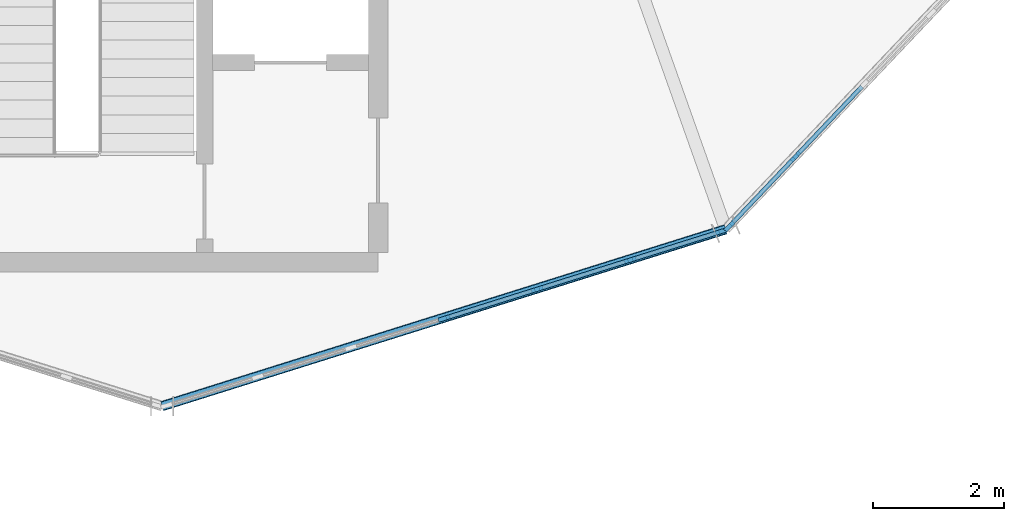
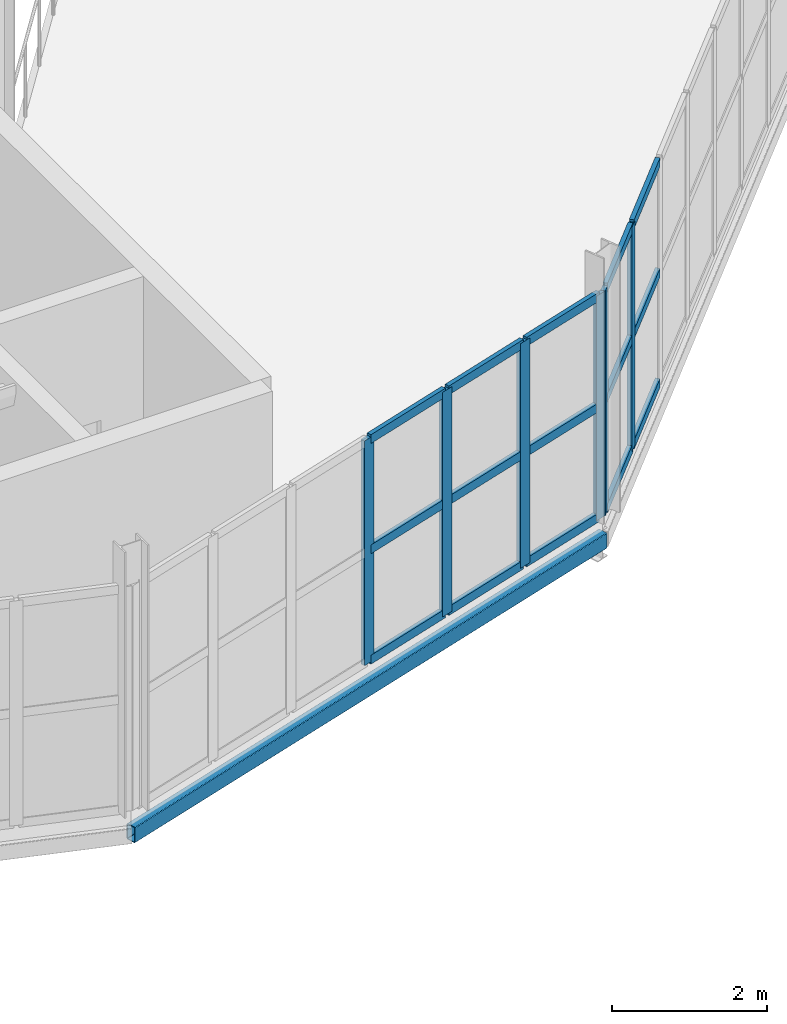
# One storey, part 77 of 161: 21 members, 1 beam, 2 elements without a shape of their own.
"""IFC4 building model written with IfcOpenShell, lengths in metres."""

import ifcopenshell
import ifcopenshell.guid

model = None  # the IFC model being written
_history = None  # IfcOwnerHistory: only IFC2X3 demands one
_inside = {}  # id of a spatial element -> (the spatial element, [elements in it])
_under = {}  # id of a project, library or spatial element -> (it, [spatial elements below it])
_declared = {}  # id of a project -> (the project, [libraries it declares])
_typed = {}  # id of a type object -> (the type object, [elements of that type])
_made_of = {}  # id of a material, layer set ... -> (it, [elements and type objects made of it])


def new_model(schema):
    """Start an empty IFC model of exactly this schema.

    Asked for "IFC4X3", IfcOpenShell would pick the latest addendum, in which some entities
    have other attributes; the version numbers below select the first issue.
    IFC2X3 requires an IfcOwnerHistory on every rooted entity: one is made here for all.
    """
    global model, _history
    if schema == "IFC4X3":
        model = ifcopenshell.file(schema_version=(4, 3, 0, 0))
    else:
        model = ifcopenshell.file(schema=schema)
    _inside.clear()
    _under.clear()
    _declared.clear()
    _typed.clear()
    _made_of.clear()
    _history = None
    if model.schema == "IFC2X3":
        org = make("IfcOrganization", Name="unknown")
        user = make(
            "IfcPersonAndOrganization",
            ThePerson=make("IfcPerson", FamilyName="unknown"),
            TheOrganization=org,
        )
        app = make(
            "IfcApplication",
            ApplicationDeveloper=org,
            Version="unknown",
            ApplicationFullName="unknown",
            ApplicationIdentifier="unknown",
        )
        _history = make(
            "IfcOwnerHistory",
            OwningUser=user,
            OwningApplication=app,
            ChangeAction="ADDED",
            CreationDate=0,
        )
    return model


def make(cls, **values):
    """One entity of the class cls with the attributes given. An attribute that is None is left unset."""
    return model.create_entity(
        cls, **{name: value for name, value in values.items() if value is not None}
    )


def rooted(cls, **values):
    """An entity with a GlobalId (a new one), such as an element, a storey or a relation."""
    return make(cls, GlobalId=ifcopenshell.guid.new(), OwnerHistory=_history, **values)


def si_unit(unit_type, name, prefix=None):
    """IfcSIUnit, for example si_unit("LENGTHUNIT", "METRE", prefix="MILLI")."""
    return make("IfcSIUnit", UnitType=unit_type, Prefix=prefix, Name=name)


def assignment(units):
    """IfcUnitAssignment: the units of a project."""
    return None if units is None else make("IfcUnitAssignment", Units=units)


def point(xyz):
    """IfcCartesianPoint."""
    return None if xyz is None else make("IfcCartesianPoint", Coordinates=xyz)


def direction(xyz):
    """IfcDirection."""
    return None if xyz is None else make("IfcDirection", DirectionRatios=xyz)


def frame(location, z_axis=None, x_axis=None):
    """IfcAxis2Placement3D, a coordinate frame: its origin and axes. An axis left out is left unset."""
    return make(
        "IfcAxis2Placement3D",
        Location=point(location),
        Axis=direction(z_axis),
        RefDirection=direction(x_axis),
    )


def frame_2d(location, x_axis=None):
    """IfcAxis2Placement2D, a coordinate frame in the plane: its origin and x axis."""
    return make(
        "IfcAxis2Placement2D", Location=point(location), RefDirection=direction(x_axis)
    )


def origin():
    """The frame at (0, 0, 0) with its axes left unset."""
    return frame((0.0, 0.0, 0.0))


def origin_2d():
    """The frame at (0, 0) in the plane with its x axis left unset."""
    return frame_2d((0.0, 0.0))


def place(relative_to, where):
    """IfcLocalPlacement: puts the frame where relative to a parent placement (None: the world)."""
    return make(
        "IfcLocalPlacement", PlacementRelTo=relative_to, RelativePlacement=where
    )


def context(
    kind, dimensions, precision=None, world=None, true_north=None, identifier=None
):
    """IfcGeometricRepresentationContext, for example the 3D "Model" context."""
    return make(
        "IfcGeometricRepresentationContext",
        ContextIdentifier=identifier,
        ContextType=kind,
        CoordinateSpaceDimension=dimensions,
        Precision=precision,
        WorldCoordinateSystem=world,
        TrueNorth=true_north,
    )


def subcontext(parent, identifier, kind, view, scale=None):
    """IfcGeometricRepresentationSubContext, for example "Body" below "Model"."""
    return make(
        "IfcGeometricRepresentationSubContext",
        ContextIdentifier=identifier,
        ContextType=kind,
        ParentContext=parent,
        TargetScale=scale,
        TargetView=view,
    )


def project(units=None, contexts=None):
    """IfcProject with its units and contexts."""
    return rooted(
        "IfcProject",
        Name="project",
        RepresentationContexts=contexts,
        UnitsInContext=assignment(units),
    )


def spatial(cls, under=None, at=None, **own):
    """A site, building, storey or space (cls), placed at a placement, below another one or the project."""
    s = rooted(cls, ObjectPlacement=at, **own)
    if under is not None:
        _under.setdefault(under.id(), (under, []))[1].append(s)
    return s


def profile(cls, at=None, kind="AREA", **sizes):
    """A parametric profile (cls). Its sizes go by their IFC names, for example OverallWidth=200.0."""
    return make(cls, ProfileType=kind, Position=at, **sizes)


def rectangle(**sizes):
    """IfcRectangleProfileDef."""
    return profile("IfcRectangleProfileDef", **sizes)


def hollow_rectangle(**sizes):
    """IfcRectangleHollowProfileDef."""
    return profile("IfcRectangleHollowProfileDef", **sizes)


def extrude(swept, where, along, depth):
    """IfcExtrudedAreaSolid: the profile swept, set in the frame where, extruded along a direction by depth."""
    return make(
        "IfcExtrudedAreaSolid",
        SweptArea=swept,
        Position=where,
        ExtrudedDirection=direction(along),
        Depth=depth,
    )


def shape(context_of_items, identifier, shape_type, items):
    """IfcShapeRepresentation: the items that make up one representation, for example the "Body"."""
    return make(
        "IfcShapeRepresentation",
        ContextOfItems=context_of_items,
        RepresentationIdentifier=identifier,
        RepresentationType=shape_type,
        Items=items,
    )


def material(Name=None, Category=None):
    """IfcMaterial."""
    return make("IfcMaterial", Name=Name, Category=Category)


def material_profile(
    of_material, cross_section, Name=None, Category=None, Priority=None
):
    """IfcMaterialProfile: a cross section and its material."""
    return make(
        "IfcMaterialProfile",
        Name=Name,
        Material=of_material,
        Profile=cross_section,
        Priority=Priority,
        Category=Category,
    )


def profile_set(profiles, Name=None, composite=None):
    """IfcMaterialProfileSet."""
    return make(
        "IfcMaterialProfileSet",
        Name=Name,
        MaterialProfiles=profiles,
        CompositeProfile=composite,
    )


def made_of(thing, what):
    """Note that an element or type object is made of a material, layer set ...; save() writes the relation."""
    if what is not None:
        _made_of.setdefault(what.id(), (what, []))[1].append(thing)
    return thing


def type_object(cls, material=None, **own):
    """A type object (cls), such as IfcWallType, which elements share."""
    return made_of(rooted(cls, **own), material)


def element(
    cls,
    number,
    at=None,
    inside=None,
    cuts=None,
    type_object=None,
    material=None,
    context=None,
    identifier="Body",
    shape_type=None,
    held_by="IfcProductDefinitionShape",
    body=None,
    shapes=None,
    **own,
):
    """One element of the class cls, such as IfcWall. Its Tag is "e" and its number.

    at: its placement. inside: the storey or other place that contains it. cuts: it is an
    opening in that element (IfcRelVoidsElement). A single representation is given by context,
    identifier, shape_type and body (its items); several are given by shapes. held_by: the class
    of the entity that holds the representations. save() writes the other relations.
    """
    e = rooted(cls, Tag="e%d" % number, ObjectPlacement=at, **own)
    if body is not None:
        shapes = [shape(context, identifier, shape_type, body)]
    if shapes is not None:
        e.Representation = make(held_by, Representations=shapes)
    if inside is not None:
        _inside.setdefault(inside.id(), (inside, []))[1].append(e)
    if cuts is not None:
        rooted(
            "IfcRelVoidsElement", RelatingBuildingElement=cuts, RelatedOpeningElement=e
        )
    if type_object is not None:
        _typed.setdefault(type_object.id(), (type_object, []))[1].append(e)
    return made_of(e, material)


def aggregate(whole, parts):
    """IfcRelAggregates: a whole, such as a stair, and the parts it consists of."""
    return rooted("IfcRelAggregates", RelatingObject=whole, RelatedObjects=parts)


def save(model, path):
    """Write the relations noted so far, then the file.

    IfcRelAggregates (storeys below a building ...), IfcRelContainedInSpatialStructure (elements
    in a storey), IfcRelDefinesByType, IfcRelAssociatesMaterial and IfcRelDeclares: one each for
    every whole, place, type object, material and project.
    """
    for whole, parts in _under.values():
        aggregate(whole, parts)
    for where, things in _inside.values():
        rooted(
            "IfcRelContainedInSpatialStructure",
            RelatedElements=things,
            RelatingStructure=where,
        )
    for kind, things in _typed.values():
        rooted("IfcRelDefinesByType", RelatedObjects=things, RelatingType=kind)
    for what, things in _made_of.values():
        rooted("IfcRelAssociatesMaterial", RelatedObjects=things, RelatingMaterial=what)
    for by, libraries in _declared.values():
        rooted("IfcRelDeclares", RelatingContext=by, RelatedDefinitions=libraries)
    model.write(path)


model = new_model("IFC4")

# Units and contexts
model_context = context("Model", 3, precision=1e-05, world=origin(), true_north=direction((0.0, 1.0)))
body_context = subcontext(model_context, "Body", "Model", "MODEL_VIEW")
ifc_project = project(units=[si_unit("LENGTHUNIT", "METRE"), si_unit("AREAUNIT", "SQUARE_METRE"), si_unit("VOLUMEUNIT", "CUBIC_METRE"), si_unit("PLANEANGLEUNIT", "RADIAN"), si_unit("MASSUNIT", "GRAM", prefix="KILO")], contexts=[model_context])

# Site, building, storey
site_placement = place(None, origin())
site = spatial("IfcSite", under=ifc_project, at=site_placement, CompositionType="ELEMENT")
building_placement = place(site_placement, origin())
building = spatial("IfcBuilding", under=site, at=building_placement, Name="Kildeholm Park Wholesale Market", CompositionType="ELEMENT")
storey_placement = place(building_placement, frame((0.0, 0.0, 5.39990234375)))
storey = spatial("IfcBuildingStorey", under=building, at=storey_placement, Name="L01", CompositionType="ELEMENT", Elevation=5.39990234375)

# Beam
ifc_material_1 = material(Name="Steel S355", Category="steel")
ifc_material_profile_1 = material_profile(ifc_material_1, hollow_rectangle(XDim=0.14990234375, YDim=0.25, WallThickness=0.010009765625, InnerFilletRadius=0.010009765625, OuterFilletRadius=0.02001953125, at=origin_2d()), Name="RHS 250x150x10")
ifc_profile_set_1 = profile_set([ifc_material_profile_1], Name="Steel S355")
beam_type = type_object("IfcBeamType", Name="Beam SP-02 RHS 250x150x10", PredefinedType="SPANDREL", material=ifc_profile_set_1)
beam_placement = place(storey_placement, frame((188.0, 59.0, -0.385009765625), z_axis=(0.954124515816, 0.299410100562, 0.0), x_axis=(-0.299410100562, 0.954124515816, 0.0)))
element("IfcBeam", 1, at=beam_placement, inside=storey, type_object=beam_type, Name="Beam BM-V2-L01-CO-12 BM-0446", PredefinedType="SPANDREL", context=body_context, shape_type="SweptSolid", body=[
    extrude(hollow_rectangle(XDim=0.14990234375, YDim=0.25, WallThickness=0.010009765625, InnerFilletRadius=0.010009765625, OuterFilletRadius=0.02001953125, at=origin_2d()), origin(), (0.0, 0.0, 1.0), 9.024169921875),
])

# Curtain wall, members
ifc_material_2 = material(Name="Anodised aluminium and low-E double-glazed glass", Category="aluminium")
curtain_wall_type = type_object("IfcCurtainWallType", Name="Market hall glazed arcade stick curtain wall CW-01", PredefinedType="NOTDEFINED", material=ifc_material_2)
curtain_wall_1_placement = place(storey_placement, origin())
curtain_wall_1 = element("IfcCurtainWall", 2, at=curtain_wall_1_placement, inside=storey, type_object=curtain_wall_type, Name="Curtain wall CW-V2-L01-12 CW-0131", PredefinedType="NOTDEFINED")
ifc_material_3 = material(Name="Anodised aluminium", Category="aluminium")
ifc_material_profile_2 = material_profile(ifc_material_3, rectangle(XDim=0.06494140625, YDim=0.179931640625, at=origin_2d()), Name="CWM 65x180")
ifc_profile_set_2 = profile_set([ifc_material_profile_2], Name="Anodised aluminium")
member_type_1 = type_object("IfcMemberType", Name="Curtain-wall mullion CWM-1 CWM 65x180", PredefinedType="MULLION", material=ifc_profile_set_2)
member_1_placement = place(storey_placement, frame((192.306396484375, 60.339599609375, 0.0), z_axis=(0.0, 0.0, 1.0), x_axis=(-0.29947776095, 0.954103280938, 0.0)))
member_1 = element("IfcMember", 3, at=member_1_placement, type_object=member_type_1, Name="CW-01 mullion 4 MEM-4023", PredefinedType="MULLION", context=body_context, shape_type="SweptSolid", body=[
    extrude(rectangle(XDim=0.06494140625, YDim=0.179931640625, at=origin_2d()), origin(), (0.0, 0.0, 1.0), 3.550048828125),
])
member_2_placement = place(storey_placement, frame((193.72900390625, 60.785888671875, 0.0), z_axis=(0.0, 0.0, 1.0), x_axis=(-0.29947776095, 0.954103280938, 0.0)))
member_2 = element("IfcMember", 4, at=member_2_placement, type_object=member_type_1, Name="CW-01 mullion 5 MEM-4024", PredefinedType="MULLION", context=body_context, shape_type="SweptSolid", body=[
    extrude(rectangle(XDim=0.06494140625, YDim=0.179931640625, at=origin_2d()), origin(), (0.0, 0.0, 1.0), 3.550048828125),
])
member_3_placement = place(storey_placement, frame((195.151611328125, 61.232421875, 0.0), z_axis=(0.0, 0.0, 1.0), x_axis=(-0.29947776095, 0.954103280938, 0.0)))
member_3 = element("IfcMember", 5, at=member_3_placement, type_object=member_type_1, Name="CW-01 mullion 6 MEM-4025", PredefinedType="MULLION", context=body_context, shape_type="SweptSolid", body=[
    extrude(rectangle(XDim=0.06494140625, YDim=0.179931640625, at=origin_2d()), origin(), (0.0, 0.0, 1.0), 3.550048828125),
])
member_4_placement = place(storey_placement, frame((196.54296875, 61.669189453125, 0.0), z_axis=(0.0, 0.0, 1.0), x_axis=(-0.29947776095, 0.954103280938, 0.0)))
member_4 = element("IfcMember", 6, at=member_4_placement, type_object=member_type_1, Name="CW-01 mullion 7 MEM-4026", PredefinedType="MULLION", context=body_context, shape_type="SweptSolid", body=[
    extrude(rectangle(XDim=0.06494140625, YDim=0.179931640625, at=origin_2d()), origin(), (0.0, 0.0, 1.0), 3.550048828125),
])

curtain_wall_2_placement = place(storey_placement, origin())
curtain_wall_2 = element("IfcCurtainWall", 7, at=curtain_wall_2_placement, inside=storey, type_object=curtain_wall_type, Name="Curtain wall CW-V2-L01-13 CW-0132", PredefinedType="NOTDEFINED")
member_5_placement = place(storey_placement, frame((196.663330078125, 61.74560546875, 0.0), z_axis=(0.0, 0.0, 1.0), x_axis=(-0.725570701078, 0.688147627866, 0.0)))
member_5 = element("IfcMember", 8, at=member_5_placement, type_object=member_type_1, Name="CW-01 mullion 1 MEM-4045", PredefinedType="MULLION", context=body_context, shape_type="SweptSolid", body=[
    extrude(rectangle(XDim=0.06494140625, YDim=0.179931640625, at=origin_2d()), origin(), (0.0, 0.0, 1.0), 3.550048828125),
])
member_6_placement = place(storey_placement, frame((197.676025390625, 62.813232421875, 0.0), z_axis=(0.0, 0.0, 1.0), x_axis=(-0.725570701078, 0.688147627866, 0.0)))
member_6 = element("IfcMember", 9, at=member_6_placement, type_object=member_type_1, Name="CW-01 mullion 2 MEM-4046", PredefinedType="MULLION", context=body_context, shape_type="SweptSolid", body=[
    extrude(rectangle(XDim=0.06494140625, YDim=0.179931640625, at=origin_2d()), origin(), (0.0, 0.0, 1.0), 3.550048828125),
])

# Member
ifc_material_profile_3 = material_profile(ifc_material_3, rectangle(XDim=0.06494140625, YDim=0.139892578125, at=origin_2d()), Name="CWT 65x140")
ifc_profile_set_3 = profile_set([ifc_material_profile_3], Name="Anodised aluminium")
member_type_2 = type_object("IfcMemberType", Name="Curtain-wall transom CWT-1 CWT 65x140", PredefinedType="USERDEFINED", material=ifc_profile_set_3)
member_7_placement = place(storey_placement, frame((192.33740234375, 60.34912109375, 0.03271484375), z_axis=(0.954067838163, 0.299590654367, 0.0), x_axis=(-0.299590654367, 0.954067838163, 0.0)))
member_7 = element("IfcMember", 10, at=member_7_placement, type_object=member_type_2, Name="CW-01 transom 4.1 MEM-4036", ObjectType="TRANSOM", PredefinedType="USERDEFINED", context=body_context, shape_type="SweptSolid", body=[
    extrude(rectangle(XDim=0.06494140625, YDim=0.139892578125, at=origin_2d()), origin(), (0.0, 0.0, 1.0), 1.426025390625),
])

member_8_placement = place(storey_placement, frame((192.33740234375, 60.34912109375, 1.775146484375), z_axis=(0.954067838163, 0.299590654367, 0.0), x_axis=(-0.299590654367, 0.954067838163, 0.0)))
member_8 = element("IfcMember", 11, at=member_8_placement, type_object=member_type_2, Name="CW-01 transom 4.2 MEM-4037", ObjectType="TRANSOM", PredefinedType="USERDEFINED", context=body_context, shape_type="SweptSolid", body=[
    extrude(rectangle(XDim=0.06494140625, YDim=0.139892578125, at=origin_2d()), origin(), (0.0, 0.0, 1.0), 1.426025390625),
])

member_9_placement = place(storey_placement, frame((192.33740234375, 60.34912109375, 3.517578125), z_axis=(0.954067838163, 0.299590654367, 0.0), x_axis=(-0.299590654367, 0.954067838163, 0.0)))
member_9 = element("IfcMember", 12, at=member_9_placement, type_object=member_type_2, Name="CW-01 transom 4.3 MEM-4038", ObjectType="TRANSOM", PredefinedType="USERDEFINED", context=body_context, shape_type="SweptSolid", body=[
    extrude(rectangle(XDim=0.06494140625, YDim=0.139892578125, at=origin_2d()), origin(), (0.0, 0.0, 1.0), 1.426025390625),
])

member_10_placement = place(storey_placement, frame((193.760009765625, 60.795654296875, 0.03271484375), z_axis=(0.954116760481, 0.299434813221, 0.0), x_axis=(-0.299434813221, 0.954116760481, 0.0)))
member_10 = element("IfcMember", 13, at=member_10_placement, type_object=member_type_2, Name="CW-01 transom 5.1 MEM-4039", ObjectType="TRANSOM", PredefinedType="USERDEFINED", context=body_context, shape_type="SweptSolid", body=[
    extrude(rectangle(XDim=0.06494140625, YDim=0.139892578125, at=origin_2d()), origin(), (0.0, 0.0, 1.0), 1.426025390625),
])

member_11_placement = place(storey_placement, frame((193.760009765625, 60.795654296875, 1.775146484375), z_axis=(0.954116760481, 0.299434813221, 0.0), x_axis=(-0.299434813221, 0.954116760481, 0.0)))
member_11 = element("IfcMember", 14, at=member_11_placement, type_object=member_type_2, Name="CW-01 transom 5.2 MEM-4040", ObjectType="TRANSOM", PredefinedType="USERDEFINED", context=body_context, shape_type="SweptSolid", body=[
    extrude(rectangle(XDim=0.06494140625, YDim=0.139892578125, at=origin_2d()), origin(), (0.0, 0.0, 1.0), 1.426025390625),
])

member_12_placement = place(storey_placement, frame((193.760009765625, 60.795654296875, 3.517578125), z_axis=(0.954116760481, 0.299434813221, 0.0), x_axis=(-0.299434813221, 0.954116760481, 0.0)))
member_12 = element("IfcMember", 15, at=member_12_placement, type_object=member_type_2, Name="CW-01 transom 5.3 MEM-4041", ObjectType="TRANSOM", PredefinedType="USERDEFINED", context=body_context, shape_type="SweptSolid", body=[
    extrude(rectangle(XDim=0.06494140625, YDim=0.139892578125, at=origin_2d()), origin(), (0.0, 0.0, 1.0), 1.426025390625),
])

member_13_placement = place(storey_placement, frame((195.1826171875, 61.2421875, 0.03271484375), z_axis=(0.954108208412, 0.299462062108, 0.0), x_axis=(-0.299462062108, 0.954108208412, 0.0)))
member_13 = element("IfcMember", 16, at=member_13_placement, type_object=member_type_2, Name="CW-01 transom 6.1 MEM-4042", ObjectType="TRANSOM", PredefinedType="USERDEFINED", context=body_context, shape_type="SweptSolid", body=[
    extrude(rectangle(XDim=0.06494140625, YDim=0.139892578125, at=origin_2d()), origin(), (0.0, 0.0, 1.0), 1.393310546875),
])

member_14_placement = place(storey_placement, frame((195.1826171875, 61.2421875, 1.775146484375), z_axis=(0.954108208412, 0.299462062108, 0.0), x_axis=(-0.299462062108, 0.954108208412, 0.0)))
member_14 = element("IfcMember", 17, at=member_14_placement, type_object=member_type_2, Name="CW-01 transom 6.2 MEM-4043", ObjectType="TRANSOM", PredefinedType="USERDEFINED", context=body_context, shape_type="SweptSolid", body=[
    extrude(rectangle(XDim=0.06494140625, YDim=0.139892578125, at=origin_2d()), origin(), (0.0, 0.0, 1.0), 1.393310546875),
])

member_15_placement = place(storey_placement, frame((195.1826171875, 61.2421875, 3.517578125), z_axis=(0.954108208412, 0.299462062108, 0.0), x_axis=(-0.299462062108, 0.954108208412, 0.0)))
member_15 = element("IfcMember", 18, at=member_15_placement, type_object=member_type_2, Name="CW-01 transom 6.3 MEM-4044", ObjectType="TRANSOM", PredefinedType="USERDEFINED", context=body_context, shape_type="SweptSolid", body=[
    extrude(rectangle(XDim=0.06494140625, YDim=0.139892578125, at=origin_2d()), origin(), (0.0, 0.0, 1.0), 1.393310546875),
])

aggregate(curtain_wall_1, [member_1, member_2, member_3, member_4, member_7, member_8, member_9, member_10, member_11, member_12, member_13, member_14, member_15])

member_16_placement = place(storey_placement, frame((196.685791015625, 61.76904296875, 0.03271484375), z_axis=(0.688023826251, 0.725688097264, 0.0), x_axis=(-0.725688097264, 0.688023826251, 0.0)))
member_16 = element("IfcMember", 19, at=member_16_placement, type_object=member_type_2, Name="CW-01 transom 1.1 MEM-4053", ObjectType="TRANSOM", PredefinedType="USERDEFINED", context=body_context, shape_type="SweptSolid", body=[
    extrude(rectangle(XDim=0.06494140625, YDim=0.139892578125, at=origin_2d()), origin(), (0.0, 0.0, 1.0), 1.406494140625),
])

member_17_placement = place(storey_placement, frame((196.685791015625, 61.76904296875, 1.775146484375), z_axis=(0.688023826251, 0.725688097264, 0.0), x_axis=(-0.725688097264, 0.688023826251, 0.0)))
member_17 = element("IfcMember", 20, at=member_17_placement, type_object=member_type_2, Name="CW-01 transom 1.2 MEM-4054", ObjectType="TRANSOM", PredefinedType="USERDEFINED", context=body_context, shape_type="SweptSolid", body=[
    extrude(rectangle(XDim=0.06494140625, YDim=0.139892578125, at=origin_2d()), origin(), (0.0, 0.0, 1.0), 1.406494140625),
])

member_18_placement = place(storey_placement, frame((196.685791015625, 61.76904296875, 3.517578125), z_axis=(0.688023826251, 0.725688097264, 0.0), x_axis=(-0.725688097264, 0.688023826251, 0.0)))
member_18 = element("IfcMember", 21, at=member_18_placement, type_object=member_type_2, Name="CW-01 transom 1.3 MEM-4055", ObjectType="TRANSOM", PredefinedType="USERDEFINED", context=body_context, shape_type="SweptSolid", body=[
    extrude(rectangle(XDim=0.06494140625, YDim=0.139892578125, at=origin_2d()), origin(), (0.0, 0.0, 1.0), 1.406494140625),
])

member_19_placement = place(storey_placement, frame((197.698486328125, 62.8369140625, 0.03271484375), z_axis=(0.688111604376, 0.72560486487, 0.0), x_axis=(-0.72560486487, 0.688111604376, 0.0)))
member_19 = element("IfcMember", 22, at=member_19_placement, type_object=member_type_2, Name="CW-01 transom 2.1 MEM-4056", ObjectType="TRANSOM", PredefinedType="USERDEFINED", context=body_context, shape_type="SweptSolid", body=[
    extrude(rectangle(XDim=0.06494140625, YDim=0.139892578125, at=origin_2d()), origin(), (0.0, 0.0, 1.0), 1.43896484375),
])

member_20_placement = place(storey_placement, frame((197.698486328125, 62.8369140625, 1.775146484375), z_axis=(0.688111604376, 0.72560486487, 0.0), x_axis=(-0.72560486487, 0.688111604376, 0.0)))
member_20 = element("IfcMember", 23, at=member_20_placement, type_object=member_type_2, Name="CW-01 transom 2.2 MEM-4057", ObjectType="TRANSOM", PredefinedType="USERDEFINED", context=body_context, shape_type="SweptSolid", body=[
    extrude(rectangle(XDim=0.06494140625, YDim=0.139892578125, at=origin_2d()), origin(), (0.0, 0.0, 1.0), 1.43896484375),
])

member_21_placement = place(storey_placement, frame((197.698486328125, 62.8369140625, 3.517578125), z_axis=(0.688111604376, 0.72560486487, 0.0), x_axis=(-0.72560486487, 0.688111604376, 0.0)))
member_21 = element("IfcMember", 24, at=member_21_placement, type_object=member_type_2, Name="CW-01 transom 2.3 MEM-4058", ObjectType="TRANSOM", PredefinedType="USERDEFINED", context=body_context, shape_type="SweptSolid", body=[
    extrude(rectangle(XDim=0.06494140625, YDim=0.139892578125, at=origin_2d()), origin(), (0.0, 0.0, 1.0), 1.43896484375),
])

aggregate(curtain_wall_2, [member_5, member_6, member_16, member_17, member_18, member_19, member_20, member_21])

save(model, "model.ifc")
